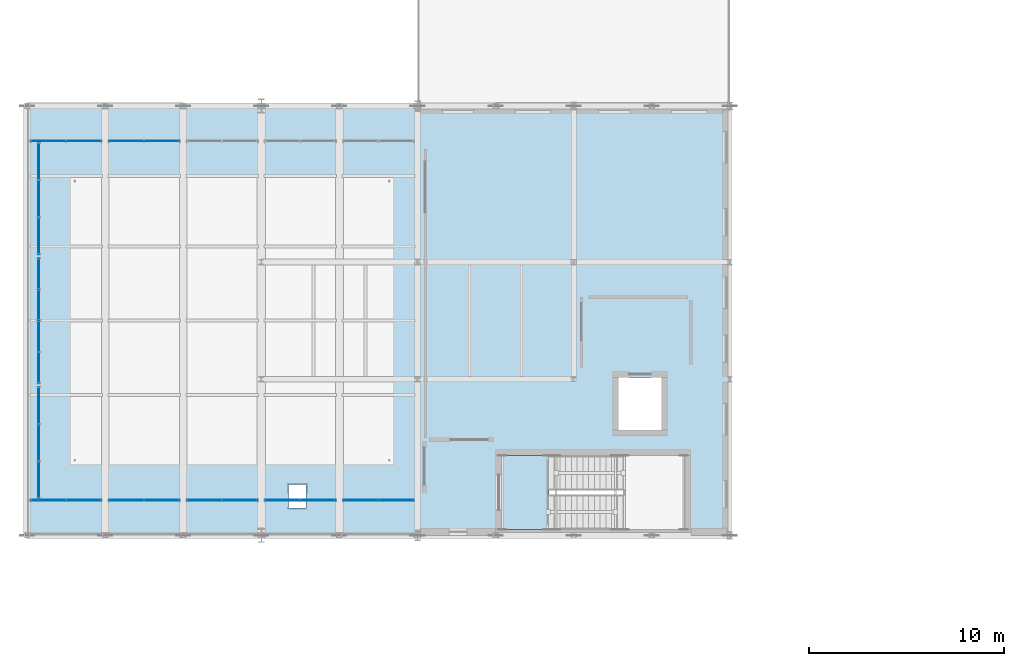
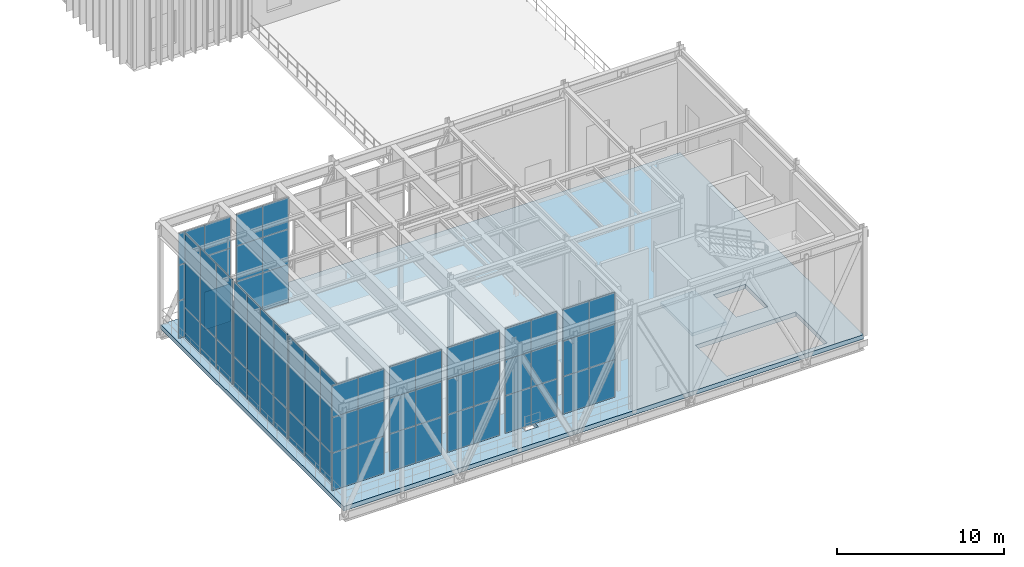
# One storey, part 73 of 138: 62 plates, 2 slabs, 11 elements without a shape of their own.
"""IFC4 building model written with IfcOpenShell, lengths in metres."""

from ifc_helpers import new_model, si_unit, direction, frame, origin, origin_2d, place, context, subcontext, project, spatial, polyline, rectangle, outline, extrude, material, layer, layer_set, type_object, element, aggregate, save


model = new_model("IFC4")

# Units and contexts
model_context = context("Model", 3, precision=1e-05, world=origin(), true_north=direction((0.0, 1.0)))
body_context = subcontext(model_context, "Body", "Model", "MODEL_VIEW")
ifc_project = project(units=[si_unit("LENGTHUNIT", "METRE"), si_unit("AREAUNIT", "SQUARE_METRE"), si_unit("VOLUMEUNIT", "CUBIC_METRE"), si_unit("PLANEANGLEUNIT", "RADIAN"), si_unit("MASSUNIT", "GRAM", prefix="KILO")], contexts=[model_context])

# Site, building, storey
site_placement = place(None, origin())
site = spatial("IfcSite", under=ifc_project, at=site_placement, CompositionType="ELEMENT")
building_placement = place(site_placement, origin())
building = spatial("IfcBuilding", under=site, at=building_placement, Name="Sundkrona Museum", CompositionType="ELEMENT")
storey_placement = place(building_placement, frame((0.0, 0.0, 9.60009765625)))
storey = spatial("IfcBuildingStorey", under=building, at=storey_placement, Name="L02", CompositionType="ELEMENT", Elevation=9.60009765625)

# Curtain wall, plates
ifc_material_1 = material(Name="Unitised Aluminium-Steel and Ceramic-Clad Curtain Walling", Category="steel")
curtain_wall_type_1 = type_object("IfcCurtainWallType", Name="CW-CV-36x74", PredefinedType="NOTDEFINED", material=ifc_material_1)
curtain_wall_1_placement = place(storey_placement, origin())
curtain_wall_1 = element("IfcCurtainWall", 1, at=curtain_wall_1_placement, inside=storey, type_object=curtain_wall_type_1, Name="L02 Curtain Wall CW-L02-142", PredefinedType="NOTDEFINED")
ifc_material_2 = material(Name="Triple Low-E Vision Glazing 32 mm", Category="glass")
ifc_layer_1 = layer(ifc_material_2, 0.031982421875)
ifc_layer_set_1 = layer_set([ifc_layer_1], Name="Triple Low-E Vision Glazing 32 mm")
plate_type = type_object("IfcPlateType", Name="PN-GL-01", PredefinedType="CURTAIN_PANEL", material=ifc_layer_set_1)
plate_1_placement = place(storey_placement, frame((5.10009765625, 33.800048828125, -0.004150390625), z_axis=(0.0, 0.0, 1.0), x_axis=(1.0, 0.0, 0.0)))
plate_1 = element("IfcPlate", 2, at=plate_1_placement, type_object=plate_type, Name="CW-L02-142 Panel 01", PredefinedType="CURTAIN_PANEL", context=body_context, shape_type="SweptSolid", body=[
    extrude(rectangle(XDim=1.800048828125, YDim=0.031982421875, at=origin_2d()), origin(), (0.0, 0.0, 1.0), 2.76708984375),
])
plate_2_placement = place(storey_placement, frame((5.10009765625, 33.800048828125, 2.762939453125), z_axis=(0.0, 0.0, 1.0), x_axis=(1.0, 0.0, 0.0)))
plate_2 = element("IfcPlate", 3, at=plate_2_placement, type_object=plate_type, Name="CW-L02-142 Panel 02", PredefinedType="CURTAIN_PANEL", context=body_context, shape_type="SweptSolid", body=[
    extrude(rectangle(XDim=1.800048828125, YDim=0.031982421875, at=origin_2d()), origin(), (0.0, 0.0, 1.0), 2.60888671875),
])
plate_3_placement = place(storey_placement, frame((5.10009765625, 33.800048828125, 5.3720703125), z_axis=(0.0, 0.0, 1.0), x_axis=(1.0, 0.0, 0.0)))
plate_3 = element("IfcPlate", 4, at=plate_3_placement, type_object=plate_type, Name="CW-L02-142 Panel 03", PredefinedType="CURTAIN_PANEL", context=body_context, shape_type="SweptSolid", body=[
    extrude(rectangle(XDim=1.800048828125, YDim=0.031982421875, at=origin_2d()), origin(), (0.0, 0.0, 1.0), 2.306884765625),
])
plate_4_placement = place(storey_placement, frame((6.89990234375, 33.800048828125, -0.004150390625), z_axis=(0.0, 0.0, 1.0), x_axis=(1.0, 0.0, 0.0)))
plate_4 = element("IfcPlate", 5, at=plate_4_placement, type_object=plate_type, Name="CW-L02-142 Panel 04", PredefinedType="CURTAIN_PANEL", context=body_context, shape_type="SweptSolid", body=[
    extrude(rectangle(XDim=1.800048828125, YDim=0.031982421875, at=origin_2d()), origin(), (0.0, 0.0, 1.0), 2.76708984375),
])
plate_5_placement = place(storey_placement, frame((6.89990234375, 33.800048828125, 2.762939453125), z_axis=(0.0, 0.0, 1.0), x_axis=(1.0, 0.0, 0.0)))
plate_5 = element("IfcPlate", 6, at=plate_5_placement, type_object=plate_type, Name="CW-L02-142 Panel 05", PredefinedType="CURTAIN_PANEL", context=body_context, shape_type="SweptSolid", body=[
    extrude(rectangle(XDim=1.800048828125, YDim=0.031982421875, at=origin_2d()), origin(), (0.0, 0.0, 1.0), 2.60888671875),
])
plate_6_placement = place(storey_placement, frame((6.89990234375, 33.800048828125, 5.3720703125), z_axis=(0.0, 0.0, 1.0), x_axis=(1.0, 0.0, 0.0)))
plate_6 = element("IfcPlate", 7, at=plate_6_placement, type_object=plate_type, Name="CW-L02-142 Panel 06", PredefinedType="CURTAIN_PANEL", context=body_context, shape_type="SweptSolid", body=[
    extrude(rectangle(XDim=1.800048828125, YDim=0.031982421875, at=origin_2d()), origin(), (0.0, 0.0, 1.0), 2.306884765625),
])
aggregate(curtain_wall_1, [plate_1, plate_2, plate_3, plate_4, plate_5, plate_6])

curtain_wall_2_placement = place(storey_placement, origin())
curtain_wall_2 = element("IfcCurtainWall", 8, at=curtain_wall_2_placement, inside=storey, type_object=curtain_wall_type_1, Name="L02 Curtain Wall CW-L02-143", PredefinedType="NOTDEFINED")
plate_7_placement = place(storey_placement, frame((5.10009765625, 52.199951171875, -0.004150390625), z_axis=(0.0, 0.0, 1.0), x_axis=(1.0, 0.0, 0.0)))
plate_7 = element("IfcPlate", 9, at=plate_7_placement, type_object=plate_type, Name="CW-L02-143 Panel 01", PredefinedType="CURTAIN_PANEL", context=body_context, shape_type="SweptSolid", body=[
    extrude(rectangle(XDim=1.800048828125, YDim=0.031982421875, at=origin_2d()), origin(), (0.0, 0.0, 1.0), 2.76708984375),
])
plate_8_placement = place(storey_placement, frame((5.10009765625, 52.199951171875, 2.762939453125), z_axis=(0.0, 0.0, 1.0), x_axis=(1.0, 0.0, 0.0)))
plate_8 = element("IfcPlate", 10, at=plate_8_placement, type_object=plate_type, Name="CW-L02-143 Panel 02", PredefinedType="CURTAIN_PANEL", context=body_context, shape_type="SweptSolid", body=[
    extrude(rectangle(XDim=1.800048828125, YDim=0.031982421875, at=origin_2d()), origin(), (0.0, 0.0, 1.0), 2.60888671875),
])
plate_9_placement = place(storey_placement, frame((5.10009765625, 52.199951171875, 5.3720703125), z_axis=(0.0, 0.0, 1.0), x_axis=(1.0, 0.0, 0.0)))
plate_9 = element("IfcPlate", 11, at=plate_9_placement, type_object=plate_type, Name="CW-L02-143 Panel 03", PredefinedType="CURTAIN_PANEL", context=body_context, shape_type="SweptSolid", body=[
    extrude(rectangle(XDim=1.800048828125, YDim=0.031982421875, at=origin_2d()), origin(), (0.0, 0.0, 1.0), 2.306884765625),
])
plate_10_placement = place(storey_placement, frame((6.89990234375, 52.199951171875, -0.004150390625), z_axis=(0.0, 0.0, 1.0), x_axis=(1.0, 0.0, 0.0)))
plate_10 = element("IfcPlate", 12, at=plate_10_placement, type_object=plate_type, Name="CW-L02-143 Panel 04", PredefinedType="CURTAIN_PANEL", context=body_context, shape_type="SweptSolid", body=[
    extrude(rectangle(XDim=1.800048828125, YDim=0.031982421875, at=origin_2d()), origin(), (0.0, 0.0, 1.0), 2.76708984375),
])
plate_11_placement = place(storey_placement, frame((6.89990234375, 52.199951171875, 2.762939453125), z_axis=(0.0, 0.0, 1.0), x_axis=(1.0, 0.0, 0.0)))
plate_11 = element("IfcPlate", 13, at=plate_11_placement, type_object=plate_type, Name="CW-L02-143 Panel 05", PredefinedType="CURTAIN_PANEL", context=body_context, shape_type="SweptSolid", body=[
    extrude(rectangle(XDim=1.800048828125, YDim=0.031982421875, at=origin_2d()), origin(), (0.0, 0.0, 1.0), 2.60888671875),
])
plate_12_placement = place(storey_placement, frame((6.89990234375, 52.199951171875, 5.3720703125), z_axis=(0.0, 0.0, 1.0), x_axis=(1.0, 0.0, 0.0)))
plate_12 = element("IfcPlate", 14, at=plate_12_placement, type_object=plate_type, Name="CW-L02-143 Panel 06", PredefinedType="CURTAIN_PANEL", context=body_context, shape_type="SweptSolid", body=[
    extrude(rectangle(XDim=1.800048828125, YDim=0.031982421875, at=origin_2d()), origin(), (0.0, 0.0, 1.0), 2.306884765625),
])
aggregate(curtain_wall_2, [plate_7, plate_8, plate_9, plate_10, plate_11, plate_12])

curtain_wall_3_placement = place(storey_placement, origin())
curtain_wall_3 = element("IfcCurtainWall", 15, at=curtain_wall_3_placement, inside=storey, type_object=curtain_wall_type_1, Name="L02 Curtain Wall CW-L02-144", PredefinedType="NOTDEFINED")
plate_13_placement = place(storey_placement, frame((9.10009765625, 33.800048828125, -0.004150390625), z_axis=(0.0, 0.0, 1.0), x_axis=(1.0, 0.0, 0.0)))
plate_13 = element("IfcPlate", 16, at=plate_13_placement, type_object=plate_type, Name="CW-L02-144 Panel 01", PredefinedType="CURTAIN_PANEL", context=body_context, shape_type="SweptSolid", body=[
    extrude(rectangle(XDim=1.800048828125, YDim=0.031982421875, at=origin_2d()), origin(), (0.0, 0.0, 1.0), 2.76708984375),
])
plate_14_placement = place(storey_placement, frame((9.10009765625, 33.800048828125, 2.762939453125), z_axis=(0.0, 0.0, 1.0), x_axis=(1.0, 0.0, 0.0)))
plate_14 = element("IfcPlate", 17, at=plate_14_placement, type_object=plate_type, Name="CW-L02-144 Panel 02", PredefinedType="CURTAIN_PANEL", context=body_context, shape_type="SweptSolid", body=[
    extrude(rectangle(XDim=1.800048828125, YDim=0.031982421875, at=origin_2d()), origin(), (0.0, 0.0, 1.0), 2.60888671875),
])
plate_15_placement = place(storey_placement, frame((9.10009765625, 33.800048828125, 5.3720703125), z_axis=(0.0, 0.0, 1.0), x_axis=(1.0, 0.0, 0.0)))
plate_15 = element("IfcPlate", 18, at=plate_15_placement, type_object=plate_type, Name="CW-L02-144 Panel 03", PredefinedType="CURTAIN_PANEL", context=body_context, shape_type="SweptSolid", body=[
    extrude(rectangle(XDim=1.800048828125, YDim=0.031982421875, at=origin_2d()), origin(), (0.0, 0.0, 1.0), 2.306884765625),
])
plate_16_placement = place(storey_placement, frame((10.89990234375, 33.800048828125, -0.004150390625), z_axis=(0.0, 0.0, 1.0), x_axis=(1.0, 0.0, 0.0)))
plate_16 = element("IfcPlate", 19, at=plate_16_placement, type_object=plate_type, Name="CW-L02-144 Panel 04", PredefinedType="CURTAIN_PANEL", context=body_context, shape_type="SweptSolid", body=[
    extrude(rectangle(XDim=1.800048828125, YDim=0.031982421875, at=origin_2d()), origin(), (0.0, 0.0, 1.0), 2.76708984375),
])
plate_17_placement = place(storey_placement, frame((10.89990234375, 33.800048828125, 2.762939453125), z_axis=(0.0, 0.0, 1.0), x_axis=(1.0, 0.0, 0.0)))
plate_17 = element("IfcPlate", 20, at=plate_17_placement, type_object=plate_type, Name="CW-L02-144 Panel 05", PredefinedType="CURTAIN_PANEL", context=body_context, shape_type="SweptSolid", body=[
    extrude(rectangle(XDim=1.800048828125, YDim=0.031982421875, at=origin_2d()), origin(), (0.0, 0.0, 1.0), 2.60888671875),
])
plate_18_placement = place(storey_placement, frame((10.89990234375, 33.800048828125, 5.3720703125), z_axis=(0.0, 0.0, 1.0), x_axis=(1.0, 0.0, 0.0)))
plate_18 = element("IfcPlate", 21, at=plate_18_placement, type_object=plate_type, Name="CW-L02-144 Panel 06", PredefinedType="CURTAIN_PANEL", context=body_context, shape_type="SweptSolid", body=[
    extrude(rectangle(XDim=1.800048828125, YDim=0.031982421875, at=origin_2d()), origin(), (0.0, 0.0, 1.0), 2.306884765625),
])
aggregate(curtain_wall_3, [plate_13, plate_14, plate_15, plate_16, plate_17, plate_18])

curtain_wall_4_placement = place(storey_placement, origin())
curtain_wall_4 = element("IfcCurtainWall", 22, at=curtain_wall_4_placement, inside=storey, type_object=curtain_wall_type_1, Name="L02 Curtain Wall CW-L02-145", PredefinedType="NOTDEFINED")
plate_19_placement = place(storey_placement, frame((9.10009765625, 52.199951171875, -0.004150390625), z_axis=(0.0, 0.0, 1.0), x_axis=(1.0, 0.0, 0.0)))
plate_19 = element("IfcPlate", 23, at=plate_19_placement, type_object=plate_type, Name="CW-L02-145 Panel 01", PredefinedType="CURTAIN_PANEL", context=body_context, shape_type="SweptSolid", body=[
    extrude(rectangle(XDim=1.800048828125, YDim=0.031982421875, at=origin_2d()), origin(), (0.0, 0.0, 1.0), 2.76708984375),
])
plate_20_placement = place(storey_placement, frame((9.10009765625, 52.199951171875, 2.762939453125), z_axis=(0.0, 0.0, 1.0), x_axis=(1.0, 0.0, 0.0)))
plate_20 = element("IfcPlate", 24, at=plate_20_placement, type_object=plate_type, Name="CW-L02-145 Panel 02", PredefinedType="CURTAIN_PANEL", context=body_context, shape_type="SweptSolid", body=[
    extrude(rectangle(XDim=1.800048828125, YDim=0.031982421875, at=origin_2d()), origin(), (0.0, 0.0, 1.0), 2.60888671875),
])
plate_21_placement = place(storey_placement, frame((9.10009765625, 52.199951171875, 5.3720703125), z_axis=(0.0, 0.0, 1.0), x_axis=(1.0, 0.0, 0.0)))
plate_21 = element("IfcPlate", 25, at=plate_21_placement, type_object=plate_type, Name="CW-L02-145 Panel 03", PredefinedType="CURTAIN_PANEL", context=body_context, shape_type="SweptSolid", body=[
    extrude(rectangle(XDim=1.800048828125, YDim=0.031982421875, at=origin_2d()), origin(), (0.0, 0.0, 1.0), 2.306884765625),
])
plate_22_placement = place(storey_placement, frame((10.89990234375, 52.199951171875, -0.004150390625), z_axis=(0.0, 0.0, 1.0), x_axis=(1.0, 0.0, 0.0)))
plate_22 = element("IfcPlate", 26, at=plate_22_placement, type_object=plate_type, Name="CW-L02-145 Panel 04", PredefinedType="CURTAIN_PANEL", context=body_context, shape_type="SweptSolid", body=[
    extrude(rectangle(XDim=1.800048828125, YDim=0.031982421875, at=origin_2d()), origin(), (0.0, 0.0, 1.0), 2.76708984375),
])
plate_23_placement = place(storey_placement, frame((10.89990234375, 52.199951171875, 2.762939453125), z_axis=(0.0, 0.0, 1.0), x_axis=(1.0, 0.0, 0.0)))
plate_23 = element("IfcPlate", 27, at=plate_23_placement, type_object=plate_type, Name="CW-L02-145 Panel 05", PredefinedType="CURTAIN_PANEL", context=body_context, shape_type="SweptSolid", body=[
    extrude(rectangle(XDim=1.800048828125, YDim=0.031982421875, at=origin_2d()), origin(), (0.0, 0.0, 1.0), 2.60888671875),
])
plate_24_placement = place(storey_placement, frame((10.89990234375, 52.199951171875, 5.3720703125), z_axis=(0.0, 0.0, 1.0), x_axis=(1.0, 0.0, 0.0)))
plate_24 = element("IfcPlate", 28, at=plate_24_placement, type_object=plate_type, Name="CW-L02-145 Panel 06", PredefinedType="CURTAIN_PANEL", context=body_context, shape_type="SweptSolid", body=[
    extrude(rectangle(XDim=1.800048828125, YDim=0.031982421875, at=origin_2d()), origin(), (0.0, 0.0, 1.0), 2.306884765625),
])
aggregate(curtain_wall_4, [plate_19, plate_20, plate_21, plate_22, plate_23, plate_24])

curtain_wall_5_placement = place(storey_placement, origin())
curtain_wall_5 = element("IfcCurtainWall", 29, at=curtain_wall_5_placement, inside=storey, type_object=curtain_wall_type_1, Name="L02 Curtain Wall CW-L02-146", PredefinedType="NOTDEFINED")
plate_25_placement = place(storey_placement, frame((13.10009765625, 33.800048828125, -0.004150390625), z_axis=(0.0, 0.0, 1.0), x_axis=(1.0, 0.0, 0.0)))
plate_25 = element("IfcPlate", 30, at=plate_25_placement, type_object=plate_type, Name="CW-L02-146 Panel 01", PredefinedType="CURTAIN_PANEL", context=body_context, shape_type="SweptSolid", body=[
    extrude(rectangle(XDim=1.800048828125, YDim=0.031982421875, at=origin_2d()), origin(), (0.0, 0.0, 1.0), 2.76708984375),
])
plate_26_placement = place(storey_placement, frame((13.10009765625, 33.800048828125, 2.762939453125), z_axis=(0.0, 0.0, 1.0), x_axis=(1.0, 0.0, 0.0)))
plate_26 = element("IfcPlate", 31, at=plate_26_placement, type_object=plate_type, Name="CW-L02-146 Panel 02", PredefinedType="CURTAIN_PANEL", context=body_context, shape_type="SweptSolid", body=[
    extrude(rectangle(XDim=1.800048828125, YDim=0.031982421875, at=origin_2d()), origin(), (0.0, 0.0, 1.0), 2.60888671875),
])
plate_27_placement = place(storey_placement, frame((13.10009765625, 33.800048828125, 5.3720703125), z_axis=(0.0, 0.0, 1.0), x_axis=(1.0, 0.0, 0.0)))
plate_27 = element("IfcPlate", 32, at=plate_27_placement, type_object=plate_type, Name="CW-L02-146 Panel 03", PredefinedType="CURTAIN_PANEL", context=body_context, shape_type="SweptSolid", body=[
    extrude(rectangle(XDim=1.800048828125, YDim=0.031982421875, at=origin_2d()), origin(), (0.0, 0.0, 1.0), 2.306884765625),
])
plate_28_placement = place(storey_placement, frame((14.89990234375, 33.800048828125, -0.004150390625), z_axis=(0.0, 0.0, 1.0), x_axis=(1.0, 0.0, 0.0)))
plate_28 = element("IfcPlate", 33, at=plate_28_placement, type_object=plate_type, Name="CW-L02-146 Panel 04", PredefinedType="CURTAIN_PANEL", context=body_context, shape_type="SweptSolid", body=[
    extrude(rectangle(XDim=1.800048828125, YDim=0.031982421875, at=origin_2d()), origin(), (0.0, 0.0, 1.0), 2.76708984375),
])
plate_29_placement = place(storey_placement, frame((14.89990234375, 33.800048828125, 2.762939453125), z_axis=(0.0, 0.0, 1.0), x_axis=(1.0, 0.0, 0.0)))
plate_29 = element("IfcPlate", 34, at=plate_29_placement, type_object=plate_type, Name="CW-L02-146 Panel 05", PredefinedType="CURTAIN_PANEL", context=body_context, shape_type="SweptSolid", body=[
    extrude(rectangle(XDim=1.800048828125, YDim=0.031982421875, at=origin_2d()), origin(), (0.0, 0.0, 1.0), 2.60888671875),
])
plate_30_placement = place(storey_placement, frame((14.89990234375, 33.800048828125, 5.3720703125), z_axis=(0.0, 0.0, 1.0), x_axis=(1.0, 0.0, 0.0)))
plate_30 = element("IfcPlate", 35, at=plate_30_placement, type_object=plate_type, Name="CW-L02-146 Panel 06", PredefinedType="CURTAIN_PANEL", context=body_context, shape_type="SweptSolid", body=[
    extrude(rectangle(XDim=1.800048828125, YDim=0.031982421875, at=origin_2d()), origin(), (0.0, 0.0, 1.0), 2.306884765625),
])
aggregate(curtain_wall_5, [plate_25, plate_26, plate_27, plate_28, plate_29, plate_30])

curtain_wall_6_placement = place(storey_placement, origin())
curtain_wall_6 = element("IfcCurtainWall", 36, at=curtain_wall_6_placement, inside=storey, type_object=curtain_wall_type_1, Name="L02 Curtain Wall CW-L02-148", PredefinedType="NOTDEFINED")
plate_31_placement = place(storey_placement, frame((17.10009765625, 33.800048828125, -0.004150390625), z_axis=(0.0, 0.0, 1.0), x_axis=(1.0, 0.0, 0.0)))
plate_31 = element("IfcPlate", 37, at=plate_31_placement, type_object=plate_type, Name="CW-L02-148 Panel 01", PredefinedType="CURTAIN_PANEL", context=body_context, shape_type="SweptSolid", body=[
    extrude(rectangle(XDim=1.800048828125, YDim=0.031982421875, at=origin_2d()), origin(), (0.0, 0.0, 1.0), 2.76708984375),
])
plate_32_placement = place(storey_placement, frame((17.10009765625, 33.800048828125, 2.762939453125), z_axis=(0.0, 0.0, 1.0), x_axis=(1.0, 0.0, 0.0)))
plate_32 = element("IfcPlate", 38, at=plate_32_placement, type_object=plate_type, Name="CW-L02-148 Panel 02", PredefinedType="CURTAIN_PANEL", context=body_context, shape_type="SweptSolid", body=[
    extrude(rectangle(XDim=1.800048828125, YDim=0.031982421875, at=origin_2d()), origin(), (0.0, 0.0, 1.0), 2.60888671875),
])
plate_33_placement = place(storey_placement, frame((17.10009765625, 33.800048828125, 5.3720703125), z_axis=(0.0, 0.0, 1.0), x_axis=(1.0, 0.0, 0.0)))
plate_33 = element("IfcPlate", 39, at=plate_33_placement, type_object=plate_type, Name="CW-L02-148 Panel 03", PredefinedType="CURTAIN_PANEL", context=body_context, shape_type="SweptSolid", body=[
    extrude(rectangle(XDim=1.800048828125, YDim=0.031982421875, at=origin_2d()), origin(), (0.0, 0.0, 1.0), 2.306884765625),
])
plate_34_placement = place(storey_placement, frame((18.89990234375, 33.800048828125, -0.004150390625), z_axis=(0.0, 0.0, 1.0), x_axis=(1.0, 0.0, 0.0)))
plate_34 = element("IfcPlate", 40, at=plate_34_placement, type_object=plate_type, Name="CW-L02-148 Panel 04", PredefinedType="CURTAIN_PANEL", context=body_context, shape_type="SweptSolid", body=[
    extrude(rectangle(XDim=1.800048828125, YDim=0.031982421875, at=origin_2d()), origin(), (0.0, 0.0, 1.0), 2.76708984375),
])
plate_35_placement = place(storey_placement, frame((18.89990234375, 33.800048828125, 2.762939453125), z_axis=(0.0, 0.0, 1.0), x_axis=(1.0, 0.0, 0.0)))
plate_35 = element("IfcPlate", 41, at=plate_35_placement, type_object=plate_type, Name="CW-L02-148 Panel 05", PredefinedType="CURTAIN_PANEL", context=body_context, shape_type="SweptSolid", body=[
    extrude(rectangle(XDim=1.800048828125, YDim=0.031982421875, at=origin_2d()), origin(), (0.0, 0.0, 1.0), 2.60888671875),
])
plate_36_placement = place(storey_placement, frame((18.89990234375, 33.800048828125, 5.3720703125), z_axis=(0.0, 0.0, 1.0), x_axis=(1.0, 0.0, 0.0)))
plate_36 = element("IfcPlate", 42, at=plate_36_placement, type_object=plate_type, Name="CW-L02-148 Panel 06", PredefinedType="CURTAIN_PANEL", context=body_context, shape_type="SweptSolid", body=[
    extrude(rectangle(XDim=1.800048828125, YDim=0.031982421875, at=origin_2d()), origin(), (0.0, 0.0, 1.0), 2.306884765625),
])
aggregate(curtain_wall_6, [plate_31, plate_32, plate_33, plate_34, plate_35, plate_36])

curtain_wall_7_placement = place(storey_placement, origin())
curtain_wall_7 = element("IfcCurtainWall", 43, at=curtain_wall_7_placement, inside=storey, type_object=curtain_wall_type_1, Name="L02 Curtain Wall CW-L02-150", PredefinedType="NOTDEFINED")
plate_37_placement = place(storey_placement, frame((21.10009765625, 33.800048828125, -0.004150390625), z_axis=(0.0, 0.0, 1.0), x_axis=(1.0, 0.0, 0.0)))
plate_37 = element("IfcPlate", 44, at=plate_37_placement, type_object=plate_type, Name="CW-L02-150 Panel 01", PredefinedType="CURTAIN_PANEL", context=body_context, shape_type="SweptSolid", body=[
    extrude(rectangle(XDim=1.800048828125, YDim=0.031982421875, at=origin_2d()), origin(), (0.0, 0.0, 1.0), 2.76708984375),
])
plate_38_placement = place(storey_placement, frame((21.10009765625, 33.800048828125, 2.762939453125), z_axis=(0.0, 0.0, 1.0), x_axis=(1.0, 0.0, 0.0)))
plate_38 = element("IfcPlate", 45, at=plate_38_placement, type_object=plate_type, Name="CW-L02-150 Panel 02", PredefinedType="CURTAIN_PANEL", context=body_context, shape_type="SweptSolid", body=[
    extrude(rectangle(XDim=1.800048828125, YDim=0.031982421875, at=origin_2d()), origin(), (0.0, 0.0, 1.0), 2.60888671875),
])
plate_39_placement = place(storey_placement, frame((21.10009765625, 33.800048828125, 5.3720703125), z_axis=(0.0, 0.0, 1.0), x_axis=(1.0, 0.0, 0.0)))
plate_39 = element("IfcPlate", 46, at=plate_39_placement, type_object=plate_type, Name="CW-L02-150 Panel 03", PredefinedType="CURTAIN_PANEL", context=body_context, shape_type="SweptSolid", body=[
    extrude(rectangle(XDim=1.800048828125, YDim=0.031982421875, at=origin_2d()), origin(), (0.0, 0.0, 1.0), 2.306884765625),
])
plate_40_placement = place(storey_placement, frame((22.89990234375, 33.800048828125, -0.004150390625), z_axis=(0.0, 0.0, 1.0), x_axis=(1.0, 0.0, 0.0)))
plate_40 = element("IfcPlate", 47, at=plate_40_placement, type_object=plate_type, Name="CW-L02-150 Panel 04", PredefinedType="CURTAIN_PANEL", context=body_context, shape_type="SweptSolid", body=[
    extrude(rectangle(XDim=1.800048828125, YDim=0.031982421875, at=origin_2d()), origin(), (0.0, 0.0, 1.0), 2.76708984375),
])
plate_41_placement = place(storey_placement, frame((22.89990234375, 33.800048828125, 2.762939453125), z_axis=(0.0, 0.0, 1.0), x_axis=(1.0, 0.0, 0.0)))
plate_41 = element("IfcPlate", 48, at=plate_41_placement, type_object=plate_type, Name="CW-L02-150 Panel 05", PredefinedType="CURTAIN_PANEL", context=body_context, shape_type="SweptSolid", body=[
    extrude(rectangle(XDim=1.800048828125, YDim=0.031982421875, at=origin_2d()), origin(), (0.0, 0.0, 1.0), 2.60888671875),
])
plate_42_placement = place(storey_placement, frame((22.89990234375, 33.800048828125, 5.3720703125), z_axis=(0.0, 0.0, 1.0), x_axis=(1.0, 0.0, 0.0)))
plate_42 = element("IfcPlate", 49, at=plate_42_placement, type_object=plate_type, Name="CW-L02-150 Panel 06", PredefinedType="CURTAIN_PANEL", context=body_context, shape_type="SweptSolid", body=[
    extrude(rectangle(XDim=1.800048828125, YDim=0.031982421875, at=origin_2d()), origin(), (0.0, 0.0, 1.0), 2.306884765625),
])
aggregate(curtain_wall_7, [plate_37, plate_38, plate_39, plate_40, plate_41, plate_42])

curtain_wall_type_2 = type_object("IfcCurtainWallType", Name="CW-CV-68x74", PredefinedType="NOTDEFINED", material=ifc_material_1)
curtain_wall_8_placement = place(storey_placement, origin())
curtain_wall_8 = element("IfcCurtainWall", 50, at=curtain_wall_8_placement, inside=storey, type_object=curtain_wall_type_2, Name="L02 Curtain Wall CW-CV-TIP-L02-33", PredefinedType="NOTDEFINED")
plate_43_placement = place(storey_placement, frame((4.60009765625, 34.85009765625, -0.004150390625), z_axis=(0.0, 0.0, 1.0), x_axis=(0.0, 1.0, 0.0)))
plate_43 = element("IfcPlate", 51, at=plate_43_placement, type_object=plate_type, Name="CW-CV-TIP-L02-33 Panel 01", PredefinedType="CURTAIN_PANEL", context=body_context, shape_type="SweptSolid", body=[
    extrude(rectangle(XDim=1.89990234375, YDim=0.031982421875, at=origin_2d()), origin(), (0.0, 0.0, 1.0), 2.2041015625),
])
plate_44_placement = place(storey_placement, frame((4.60009765625, 34.85009765625, 2.199951171875), z_axis=(0.0, 0.0, 1.0), x_axis=(0.0, 1.0, 0.0)))
plate_44 = element("IfcPlate", 52, at=plate_44_placement, type_object=plate_type, Name="CW-CV-TIP-L02-33 Panel 02", PredefinedType="CURTAIN_PANEL", context=body_context, shape_type="SweptSolid", body=[
    extrude(rectangle(XDim=1.89990234375, YDim=0.031982421875, at=origin_2d()), origin(), (0.0, 0.0, 1.0), 5.47900390625),
])
plate_45_placement = place(storey_placement, frame((4.60009765625, 36.75, -0.004150390625), z_axis=(0.0, 0.0, 1.0), x_axis=(0.0, 1.0, 0.0)))
plate_45 = element("IfcPlate", 53, at=plate_45_placement, type_object=plate_type, Name="CW-CV-TIP-L02-33 Panel 03", PredefinedType="CURTAIN_PANEL", context=body_context, shape_type="SweptSolid", body=[
    extrude(rectangle(XDim=1.89990234375, YDim=0.031982421875, at=origin_2d()), origin(), (0.0, 0.0, 1.0), 2.2041015625),
])
plate_46_placement = place(storey_placement, frame((4.60009765625, 36.75, 2.199951171875), z_axis=(0.0, 0.0, 1.0), x_axis=(0.0, 1.0, 0.0)))
plate_46 = element("IfcPlate", 54, at=plate_46_placement, type_object=plate_type, Name="CW-CV-TIP-L02-33 Panel 04", PredefinedType="CURTAIN_PANEL", context=body_context, shape_type="SweptSolid", body=[
    extrude(rectangle(XDim=1.89990234375, YDim=0.031982421875, at=origin_2d()), origin(), (0.0, 0.0, 1.0), 5.47900390625),
])
plate_47_placement = place(storey_placement, frame((4.60009765625, 38.64990234375, -0.004150390625), z_axis=(0.0, 0.0, 1.0), x_axis=(0.0, 1.0, 0.0)))
plate_47 = element("IfcPlate", 55, at=plate_47_placement, type_object=plate_type, Name="CW-CV-TIP-L02-33 Panel 05", PredefinedType="CURTAIN_PANEL", context=body_context, shape_type="SweptSolid", body=[
    extrude(rectangle(XDim=1.89990234375, YDim=0.031982421875, at=origin_2d()), origin(), (0.0, 0.0, 1.0), 2.2041015625),
])
plate_48_placement = place(storey_placement, frame((4.60009765625, 38.64990234375, 2.199951171875), z_axis=(0.0, 0.0, 1.0), x_axis=(0.0, 1.0, 0.0)))
plate_48 = element("IfcPlate", 56, at=plate_48_placement, type_object=plate_type, Name="CW-CV-TIP-L02-33 Panel 06", PredefinedType="CURTAIN_PANEL", context=body_context, shape_type="SweptSolid", body=[
    extrude(rectangle(XDim=1.89990234375, YDim=0.031982421875, at=origin_2d()), origin(), (0.0, 0.0, 1.0), 5.47900390625),
])
aggregate(curtain_wall_8, [plate_43, plate_44, plate_45, plate_46, plate_47, plate_48])

curtain_wall_9_placement = place(storey_placement, origin())
curtain_wall_9 = element("IfcCurtainWall", 57, at=curtain_wall_9_placement, inside=storey, type_object=curtain_wall_type_2, Name="L02 Curtain Wall CW-CV-TIP-L02-39", PredefinedType="NOTDEFINED")
plate_49_placement = place(storey_placement, frame((4.60009765625, 40.60009765625, -0.004150390625), z_axis=(0.0, 0.0, 1.0), x_axis=(0.0, 1.0, 0.0)))
plate_49 = element("IfcPlate", 58, at=plate_49_placement, type_object=plate_type, Name="CW-CV-TIP-L02-39 Panel 01", PredefinedType="CURTAIN_PANEL", context=body_context, shape_type="SweptSolid", body=[
    extrude(rectangle(XDim=1.60009765625, YDim=0.031982421875, at=origin_2d()), origin(), (0.0, 0.0, 1.0), 2.2041015625),
])
plate_50_placement = place(storey_placement, frame((4.60009765625, 40.60009765625, 2.199951171875), z_axis=(0.0, 0.0, 1.0), x_axis=(0.0, 1.0, 0.0)))
plate_50 = element("IfcPlate", 59, at=plate_50_placement, type_object=plate_type, Name="CW-CV-TIP-L02-39 Panel 02", PredefinedType="CURTAIN_PANEL", context=body_context, shape_type="SweptSolid", body=[
    extrude(rectangle(XDim=1.60009765625, YDim=0.031982421875, at=origin_2d()), origin(), (0.0, 0.0, 1.0), 5.47900390625),
])
plate_51_placement = place(storey_placement, frame((4.60009765625, 42.199951171875, -0.004150390625), z_axis=(0.0, 0.0, 1.0), x_axis=(0.0, 1.0, 0.0)))
plate_51 = element("IfcPlate", 60, at=plate_51_placement, type_object=plate_type, Name="CW-CV-TIP-L02-39 Panel 03", PredefinedType="CURTAIN_PANEL", context=body_context, shape_type="SweptSolid", body=[
    extrude(rectangle(XDim=1.60009765625, YDim=0.031982421875, at=origin_2d()), origin(), (0.0, 0.0, 1.0), 2.2041015625),
])
plate_52_placement = place(storey_placement, frame((4.60009765625, 42.199951171875, 2.199951171875), z_axis=(0.0, 0.0, 1.0), x_axis=(0.0, 1.0, 0.0)))
plate_52 = element("IfcPlate", 61, at=plate_52_placement, type_object=plate_type, Name="CW-CV-TIP-L02-39 Panel 04", PredefinedType="CURTAIN_PANEL", context=body_context, shape_type="SweptSolid", body=[
    extrude(rectangle(XDim=1.60009765625, YDim=0.031982421875, at=origin_2d()), origin(), (0.0, 0.0, 1.0), 5.47900390625),
])
plate_53_placement = place(storey_placement, frame((4.60009765625, 43.800048828125, -0.004150390625), z_axis=(0.0, 0.0, 1.0), x_axis=(0.0, 1.0, 0.0)))
plate_53 = element("IfcPlate", 62, at=plate_53_placement, type_object=plate_type, Name="CW-CV-TIP-L02-39 Panel 05", PredefinedType="CURTAIN_PANEL", context=body_context, shape_type="SweptSolid", body=[
    extrude(rectangle(XDim=1.60009765625, YDim=0.031982421875, at=origin_2d()), origin(), (0.0, 0.0, 1.0), 2.2041015625),
])
plate_54_placement = place(storey_placement, frame((4.60009765625, 43.800048828125, 2.199951171875), z_axis=(0.0, 0.0, 1.0), x_axis=(0.0, 1.0, 0.0)))
plate_54 = element("IfcPlate", 63, at=plate_54_placement, type_object=plate_type, Name="CW-CV-TIP-L02-39 Panel 06", PredefinedType="CURTAIN_PANEL", context=body_context, shape_type="SweptSolid", body=[
    extrude(rectangle(XDim=1.60009765625, YDim=0.031982421875, at=origin_2d()), origin(), (0.0, 0.0, 1.0), 5.47900390625),
])
plate_55_placement = place(storey_placement, frame((4.60009765625, 45.39990234375, -0.004150390625), z_axis=(0.0, 0.0, 1.0), x_axis=(0.0, 1.0, 0.0)))
plate_55 = element("IfcPlate", 64, at=plate_55_placement, type_object=plate_type, Name="CW-CV-TIP-L02-39 Panel 07", PredefinedType="CURTAIN_PANEL", context=body_context, shape_type="SweptSolid", body=[
    extrude(rectangle(XDim=1.60009765625, YDim=0.031982421875, at=origin_2d()), origin(), (0.0, 0.0, 1.0), 2.2041015625),
])
plate_56_placement = place(storey_placement, frame((4.60009765625, 45.39990234375, 2.199951171875), z_axis=(0.0, 0.0, 1.0), x_axis=(0.0, 1.0, 0.0)))
plate_56 = element("IfcPlate", 65, at=plate_56_placement, type_object=plate_type, Name="CW-CV-TIP-L02-39 Panel 08", PredefinedType="CURTAIN_PANEL", context=body_context, shape_type="SweptSolid", body=[
    extrude(rectangle(XDim=1.60009765625, YDim=0.031982421875, at=origin_2d()), origin(), (0.0, 0.0, 1.0), 5.47900390625),
])
aggregate(curtain_wall_9, [plate_49, plate_50, plate_51, plate_52, plate_53, plate_54, plate_55, plate_56])

curtain_wall_10_placement = place(storey_placement, origin())
curtain_wall_10 = element("IfcCurtainWall", 66, at=curtain_wall_10_placement, inside=storey, type_object=curtain_wall_type_2, Name="L02 Curtain Wall CW-CV-TIP-L02-46", PredefinedType="NOTDEFINED")
plate_57_placement = place(storey_placement, frame((4.60009765625, 47.35009765625, -0.004150390625), z_axis=(0.0, 0.0, 1.0), x_axis=(0.0, 1.0, 0.0)))
plate_57 = element("IfcPlate", 67, at=plate_57_placement, type_object=plate_type, Name="CW-CV-TIP-L02-46 Panel 01", PredefinedType="CURTAIN_PANEL", context=body_context, shape_type="SweptSolid", body=[
    extrude(rectangle(XDim=1.89990234375, YDim=0.031982421875, at=origin_2d()), origin(), (0.0, 0.0, 1.0), 2.2041015625),
])
plate_58_placement = place(storey_placement, frame((4.60009765625, 47.35009765625, 2.199951171875), z_axis=(0.0, 0.0, 1.0), x_axis=(0.0, 1.0, 0.0)))
plate_58 = element("IfcPlate", 68, at=plate_58_placement, type_object=plate_type, Name="CW-CV-TIP-L02-46 Panel 02", PredefinedType="CURTAIN_PANEL", context=body_context, shape_type="SweptSolid", body=[
    extrude(rectangle(XDim=1.89990234375, YDim=0.031982421875, at=origin_2d()), origin(), (0.0, 0.0, 1.0), 5.47900390625),
])
plate_59_placement = place(storey_placement, frame((4.60009765625, 49.25, -0.004150390625), z_axis=(0.0, 0.0, 1.0), x_axis=(0.0, 1.0, 0.0)))
plate_59 = element("IfcPlate", 69, at=plate_59_placement, type_object=plate_type, Name="CW-CV-TIP-L02-46 Panel 03", PredefinedType="CURTAIN_PANEL", context=body_context, shape_type="SweptSolid", body=[
    extrude(rectangle(XDim=1.89990234375, YDim=0.031982421875, at=origin_2d()), origin(), (0.0, 0.0, 1.0), 2.2041015625),
])
plate_60_placement = place(storey_placement, frame((4.60009765625, 49.25, 2.199951171875), z_axis=(0.0, 0.0, 1.0), x_axis=(0.0, 1.0, 0.0)))
plate_60 = element("IfcPlate", 70, at=plate_60_placement, type_object=plate_type, Name="CW-CV-TIP-L02-46 Panel 04", PredefinedType="CURTAIN_PANEL", context=body_context, shape_type="SweptSolid", body=[
    extrude(rectangle(XDim=1.89990234375, YDim=0.031982421875, at=origin_2d()), origin(), (0.0, 0.0, 1.0), 5.47900390625),
])
plate_61_placement = place(storey_placement, frame((4.60009765625, 51.14990234375, -0.004150390625), z_axis=(0.0, 0.0, 1.0), x_axis=(0.0, 1.0, 0.0)))
plate_61 = element("IfcPlate", 71, at=plate_61_placement, type_object=plate_type, Name="CW-CV-TIP-L02-46 Panel 05", PredefinedType="CURTAIN_PANEL", context=body_context, shape_type="SweptSolid", body=[
    extrude(rectangle(XDim=1.89990234375, YDim=0.031982421875, at=origin_2d()), origin(), (0.0, 0.0, 1.0), 2.2041015625),
])
plate_62_placement = place(storey_placement, frame((4.60009765625, 51.14990234375, 2.199951171875), z_axis=(0.0, 0.0, 1.0), x_axis=(0.0, 1.0, 0.0)))
plate_62 = element("IfcPlate", 72, at=plate_62_placement, type_object=plate_type, Name="CW-CV-TIP-L02-46 Panel 06", PredefinedType="CURTAIN_PANEL", context=body_context, shape_type="SweptSolid", body=[
    extrude(rectangle(XDim=1.89990234375, YDim=0.031982421875, at=origin_2d()), origin(), (0.0, 0.0, 1.0), 5.47900390625),
])
aggregate(curtain_wall_10, [plate_57, plate_58, plate_59, plate_60, plate_61, plate_62])

# Slab
ifc_material_3 = material(Name="Concrete C35/45", Category="concrete")
ifc_layer_2 = layer(ifc_material_3, 0.324951171875)
ifc_layer_set_2 = layer_set([ifc_layer_2], Name="Concrete C35/45")
slab_type_1 = type_object("IfcSlabType", Name="SL-CV-325", PredefinedType="FLOOR", material=ifc_layer_set_2)
slab_1_placement = place(storey_placement, frame((0.0, 0.0, -0.3251953125)))
element("IfcSlab", 73, at=slab_1_placement, inside=storey, type_object=slab_type_1, Name="L02 Cantilevered pavilion composite diaphragm slab 325 mm (SL-L02-V4C)", PredefinedType="FLOOR", context=body_context, shape_type="SweptSolid", body=[
    extrude(outline(polyline([(4.0, 32.0), (40.0, 32.0), (40.0, 54.0), (4.0, 54.0), (4.0, 32.0)]), holes=[polyline([(37.675048828125, 32.324951171875), (30.72509765625, 32.324951171875), (30.72509765625, 36.074951171875), (37.675048828125, 36.074951171875), (37.675048828125, 32.324951171875)]), polyline([(36.5, 37.39990234375), (34.300048828125, 37.39990234375), (34.300048828125, 40.10009765625), (36.5, 40.10009765625), (36.5, 37.39990234375)]), polyline([(17.39990234375, 34.60009765625), (18.300048828125, 34.60009765625), (18.300048828125, 33.39990234375), (17.39990234375, 33.39990234375), (17.39990234375, 34.60009765625)])]), origin(), (0.0, 0.0, 1.0), 0.3251953125),
])

# Stair, slab
stair_type = type_object("IfcStairType", Name="ST-DL-800", PredefinedType="HALF_TURN_STAIR", material=ifc_material_3)
stair_placement = place(storey_placement, origin())
stair = element("IfcStair", 74, at=stair_placement, inside=storey, type_object=stair_type, Name="L02 Protected Stair Core ST-4", PredefinedType="HALF_TURN_STAIR")
ifc_layer_3 = layer(ifc_material_3, 0.219970703125)
ifc_layer_set_3 = layer_set([ifc_layer_3], Name="Concrete C35/45")
slab_type_2 = type_object("IfcSlabType", Name="SL-LN-220", PredefinedType="LANDING", material=ifc_layer_set_3)
slab_2_placement = place(storey_placement, frame((0.0, 0.0, 3.77978515625)))
slab_2 = element("IfcSlab", 75, at=slab_2_placement, type_object=slab_type_2, Name="L02 Protected Stair Core ST-4 Landing 2", PredefinedType="LANDING", context=body_context, shape_type="SweptSolid", body=[
    extrude(outline(polyline([(28.300048828125, 32.300048828125), (30.699951171875, 32.300048828125), (30.699951171875, 36.10009765625), (28.300048828125, 36.10009765625), (28.300048828125, 32.300048828125)])), origin(), (0.0, 0.0, 1.0), 0.22021484375),
])
aggregate(stair, [slab_2])

save(model, "model.ifc")
